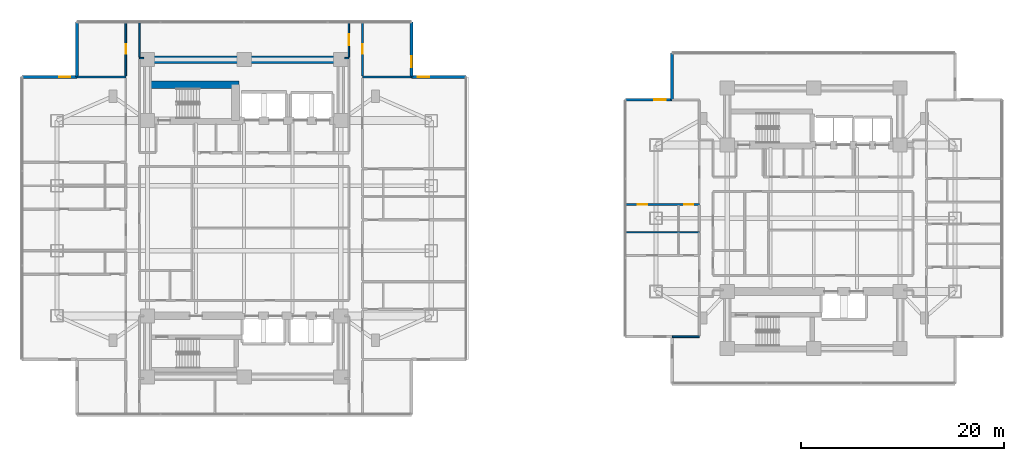
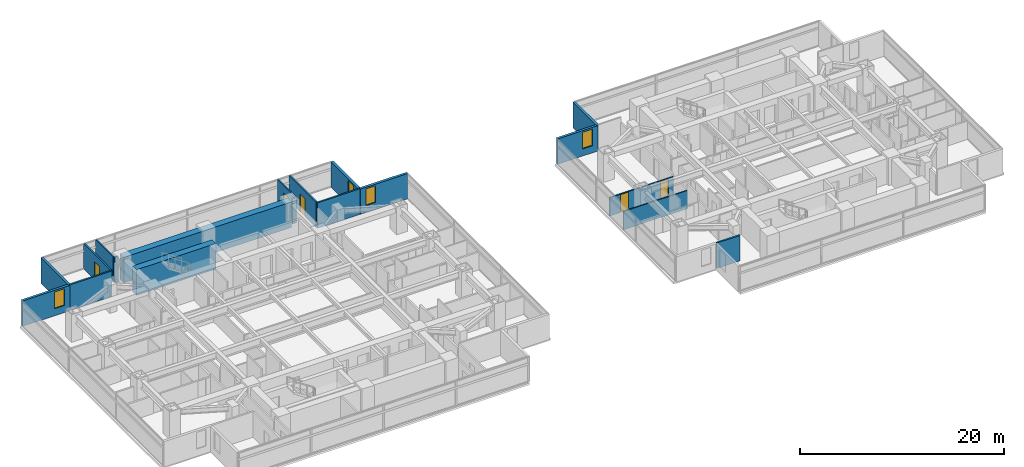
# One storey, part 16 of 25: 19 walls, 5 doors, 4 windows, 9 openings.
"""IFC4 building model written with IfcOpenShell, lengths in metres."""

from ifc_helpers import new_model, si_unit, direction, frame, frame_2d, origin, place, context, subcontext, project, spatial, rectangle, extrude, material, layer, layer_set, type_object, element, fill, save


model = new_model("IFC4")

# Units and contexts
model_context = context("Model", 3, precision=1e-05, world=origin(), true_north=direction((0.0, 1.0)))
body_context = subcontext(model_context, "Body", "Model", "MODEL_VIEW")
ifc_project = project(units=[si_unit("LENGTHUNIT", "METRE"), si_unit("AREAUNIT", "SQUARE_METRE"), si_unit("VOLUMEUNIT", "CUBIC_METRE"), si_unit("PLANEANGLEUNIT", "RADIAN"), si_unit("MASSUNIT", "GRAM", prefix="KILO")], contexts=[model_context])

# Site, building, storey
site_placement = place(None, origin())
site = spatial("IfcSite", under=ifc_project, at=site_placement, CompositionType="ELEMENT")
building_placement = place(site_placement, origin())
building = spatial("IfcBuilding", under=site, at=building_placement, Name="Mirazonda Arch Towers", CompositionType="ELEMENT")
storey_placement = place(building_placement, frame((0.0, 0.0, 32.300048828125)))
storey = spatial("IfcBuildingStorey", under=building, at=storey_placement, Name="L08", CompositionType="ELEMENT", Elevation=32.300048828125)

# Walls
ifc_material_1 = material(Name="Concrete C60/75", Category="concrete")
ifc_layer_1 = layer(ifc_material_1, 0.75, Name="WALL-CORE-750")
ifc_layer_set_1 = layer_set([ifc_layer_1], Name="Concrete C60/75")
wall_type_1 = type_object("IfcWallType", Name="WALL-CORE-750", PredefinedType="SHEAR", material=ifc_layer_set_1)
wall_1_placement = place(storey_placement, frame((11.0, 43.60009765625, 0.0), z_axis=(0.0, 0.0, 1.0), x_axis=(1.0, 0.0, 0.0)))
element("IfcWall", 1, at=wall_1_placement, inside=storey, type_object=wall_type_1, Name="L08 T1N-N Core Shear Wall", PredefinedType="SHEAR", context=body_context, shape_type="SweptSolid", body=[
    extrude(rectangle(XDim=19.0, YDim=0.75, at=frame_2d((9.5, 0.0))), origin(), (0.0, 0.0, 1.0), 3.06005859375),
])
wall_2_placement = place(storey_placement, frame((11.0, 41.14306640625, 0.0), z_axis=(0.0, 0.0, 1.0), x_axis=(1.0, 0.0, 0.0)))
element("IfcWall", 2, at=wall_2_placement, inside=storey, type_object=wall_type_1, Name="L08 T1N-STN Core Shear Wall", PredefinedType="SHEAR", context=body_context, shape_type="SweptSolid", body=[
    extrude(rectangle(XDim=9.0, YDim=0.75, at=frame_2d((4.5, 0.0))), origin(), (0.0, 0.0, 1.0), 3.06005859375),
])

# Wall, opening, window
ifc_material_2 = material(Name="Precast Concrete C40/50", Category="concrete")
ifc_layer_2 = layer(ifc_material_2, 0.280029296875, Name="WALL-EXT-WALL-280")
ifc_layer_set_2 = layer_set([ifc_layer_2], Name="Precast Concrete C40/50")
wall_type_2 = type_object("IfcWallType", Name="WALL-EXT-WALL-280", PredefinedType="SOLIDWALL", material=ifc_layer_set_2)
wall_3_placement = place(storey_placement, frame((36.93994140625, 41.89404296875, 0.0), z_axis=(0.0, 0.0, 1.0), x_axis=(0.0, 1.0, 0.0)))
wall_3 = element("IfcWall", 3, at=wall_3_placement, inside=storey, type_object=wall_type_2, Name="L08 T1 Notched NE Corner Wall WL-L08-T1-CNE", PredefinedType="SOLIDWALL", context=body_context, shape_type="SweptSolid", body=[
    extrude(rectangle(XDim=5.3798828125, YDim=0.280029296875, at=frame_2d((2.68994140625, 0.0))), origin(), (0.0, 0.0, 1.0), 3.0400390625),
])
opening_1_placement = place(wall_3_placement, frame((0.949951171875, 0.0, 0.85009765625)))
opening_1 = element("IfcOpeningElement", 4, at=opening_1_placement, cuts=wall_3, Name="Opening WN-108", PredefinedType="OPENING", context=body_context, shape_type="SweptSolid", body=[
    extrude(rectangle(XDim=1.10009765625, YDim=2.0, at=frame_2d((0.550048828125, 1.0))), frame((0.0, 0.14990234375, 0.0), z_axis=(0.0, -1.0, 0.0), x_axis=(1.0, 0.0, 0.0)), (0.0, 0.0, 1.0), 0.300048828125),
])
ifc_material_3 = material(Name="Insulated Low-E Solar Glass", Category="glass")
window_type = type_object("IfcWindowType", Name="WIN-NOTCH-1100x2000", PartitioningType="SINGLE_PANEL", PredefinedType="WINDOW", material=ifc_material_3)
window_1_placement = place(opening_1_placement, origin())
window_1 = element("IfcWindow", 5, at=window_1_placement, inside=storey, type_object=window_type, Name="L08 Punched Facade Window WN-L08-T1-CNE", OverallHeight=2.0, OverallWidth=1.10009765625, PartitioningType="SINGLE_PANEL", PredefinedType="WINDOW", context=body_context, shape_type="SweptSolid", body=[
    extrude(rectangle(XDim=1.10009765625, YDim=2.0, at=frame_2d((0.550048828125, 1.0))), frame((0.0, 0.030029296875, 0.0), z_axis=(0.0, -1.0, 0.0), x_axis=(1.0, 0.0, 0.0)), (0.0, 0.0, 1.0), 0.06005859375),
])
fill(opening_1, window_1)

wall_4_placement = place(storey_placement, frame((4.06005859375, 41.89404296875, 0.0), z_axis=(0.0, 0.0, 1.0), x_axis=(-1.0, 0.0, 0.0)))
wall_4 = element("IfcWall", 6, at=wall_4_placement, inside=storey, type_object=wall_type_2, Name="L08 T1 Corner Notch Return Wall WL-L08-T1-CNW1", PredefinedType="SOLIDWALL", context=body_context, shape_type="SweptSolid", body=[
    extrude(rectangle(XDim=5.380126953125, YDim=0.280029296875, at=frame_2d((2.68994140625, 0.0))), origin(), (0.0, 0.0, 1.0), 3.0400390625),
])
opening_2_placement = place(wall_4_placement, frame((0.64990234375, 0.0, 0.85009765625)))
opening_2 = element("IfcOpeningElement", 7, at=opening_2_placement, cuts=wall_4, Name="Opening WN-108", PredefinedType="OPENING", context=body_context, shape_type="SweptSolid", body=[
    extrude(rectangle(XDim=1.10009765625, YDim=2.0, at=frame_2d((0.550048828125, 1.0))), frame((0.0, 0.14990234375, 0.0), z_axis=(0.0, -1.0, 0.0), x_axis=(1.0, 0.0, 0.0)), (0.0, 0.0, 1.0), 0.300048828125),
])
window_2_placement = place(opening_2_placement, origin())
window_2 = element("IfcWindow", 8, at=window_2_placement, inside=storey, type_object=window_type, Name="L08 Punched Facade Window WN-L08-T1-CNW1", OverallHeight=2.0, OverallWidth=1.10009765625, PartitioningType="SINGLE_PANEL", PredefinedType="WINDOW", context=body_context, shape_type="SweptSolid", body=[
    extrude(rectangle(XDim=1.10009765625, YDim=2.0, at=frame_2d((0.550048828125, 1.0))), frame((0.0, 0.030029296875, 0.0), z_axis=(0.0, -1.0, 0.0), x_axis=(1.0, 0.0, 0.0)), (0.0, 0.0, 1.0), 0.06005859375),
])
fill(opening_2, window_2)

# Wall
wall_5_placement = place(storey_placement, frame((4.06005859375, 47.27392578125, 0.0), z_axis=(0.0, 0.0, 1.0), x_axis=(0.0, -1.0, 0.0)))
element("IfcWall", 9, at=wall_5_placement, inside=storey, type_object=wall_type_2, Name="L08 T1 Corner Notch Return Wall WL-L08-T1-CNW2", PredefinedType="SOLIDWALL", context=body_context, shape_type="SweptSolid", body=[
    extrude(rectangle(XDim=5.3798828125, YDim=0.280029296875, at=frame_2d((2.68994140625, 0.0))), origin(), (0.0, 0.0, 1.0), 3.0400390625),
])

# Wall, opening, window
wall_6_placement = place(storey_placement, frame((42.320068359375, 41.89404296875, 0.0), z_axis=(0.0, 0.0, 1.0), x_axis=(-1.0, 0.0, 0.0)))
wall_6 = element("IfcWall", 10, at=wall_6_placement, inside=storey, type_object=wall_type_2, Name="L08 T1 Corner Notch Return Wall WL-L08-T1-CNE2", PredefinedType="SOLIDWALL", context=body_context, shape_type="SweptSolid", body=[
    extrude(rectangle(XDim=5.380126953125, YDim=0.280029296875, at=frame_2d((2.68994140625, 0.0))), origin(), (0.0, 0.0, 1.0), 3.0400390625),
])
opening_3_placement = place(wall_6_placement, frame((3.6298828125, 0.0, 0.85009765625)))
opening_3 = element("IfcOpeningElement", 11, at=opening_3_placement, cuts=wall_6, Name="Opening WN-108", PredefinedType="OPENING", context=body_context, shape_type="SweptSolid", body=[
    extrude(rectangle(XDim=1.10009765625, YDim=2.0, at=frame_2d((0.550048828125, 1.0))), frame((0.0, 0.14990234375, 0.0), z_axis=(0.0, -1.0, 0.0), x_axis=(1.0, 0.0, 0.0)), (0.0, 0.0, 1.0), 0.300048828125),
])
window_3_placement = place(opening_3_placement, origin())
window_3 = element("IfcWindow", 12, at=window_3_placement, inside=storey, type_object=window_type, Name="L08 Punched Facade Window WN-L08-T1-CNE2", OverallHeight=2.0, OverallWidth=1.10009765625, PartitioningType="SINGLE_PANEL", PredefinedType="WINDOW", context=body_context, shape_type="SweptSolid", body=[
    extrude(rectangle(XDim=1.10009765625, YDim=2.0, at=frame_2d((0.550048828125, 1.0))), frame((0.0, 0.030029296875, 0.0), z_axis=(0.0, -1.0, 0.0), x_axis=(1.0, 0.0, 0.0)), (0.0, 0.0, 1.0), 0.06005859375),
])
fill(opening_3, window_3)

wall_7_placement = place(storey_placement, frame((62.5859375, 39.64990234375, 0.0), z_axis=(0.0, 0.0, 1.0), x_axis=(-1.0, 0.0, 0.0)))
wall_7 = element("IfcWall", 13, at=wall_7_placement, inside=storey, type_object=wall_type_2, Name="L08 T2 Corner Notch Return Wall WL-L08-T2-CNW1", PredefinedType="SOLIDWALL", context=body_context, shape_type="SweptSolid", body=[
    extrude(rectangle(XDim=4.579833984375, YDim=0.280029296875, at=frame_2d((2.2900390625, 0.0))), origin(), (0.0, 0.0, 1.0), 3.0400390625),
])
opening_4_placement = place(wall_7_placement, frame((0.64990234375, 0.0, 0.85009765625)))
opening_4 = element("IfcOpeningElement", 14, at=opening_4_placement, cuts=wall_7, Name="Opening WN-108", PredefinedType="OPENING", context=body_context, shape_type="SweptSolid", body=[
    extrude(rectangle(XDim=1.10009765625, YDim=2.0, at=frame_2d((0.550048828125, 1.0))), frame((0.0, 0.14990234375, 0.0), z_axis=(0.0, -1.0, 0.0), x_axis=(1.0, 0.0, 0.0)), (0.0, 0.0, 1.0), 0.300048828125),
])
window_4_placement = place(opening_4_placement, origin())
window_4 = element("IfcWindow", 15, at=window_4_placement, inside=storey, type_object=window_type, Name="L08 Punched Facade Window WN-L08-T2-CNW1", OverallHeight=2.0, OverallWidth=1.10009765625, PartitioningType="SINGLE_PANEL", PredefinedType="WINDOW", context=body_context, shape_type="SweptSolid", body=[
    extrude(rectangle(XDim=1.10009765625, YDim=2.0, at=frame_2d((0.550048828125, 1.0))), frame((0.0, 0.030029296875, 0.0), z_axis=(0.0, -1.0, 0.0), x_axis=(1.0, 0.0, 0.0)), (0.0, 0.0, 1.0), 0.06005859375),
])
fill(opening_4, window_4)

# Wall
wall_8_placement = place(storey_placement, frame((62.5859375, 44.22998046875, 0.0), z_axis=(0.0, 0.0, 1.0), x_axis=(0.0, -1.0, 0.0)))
element("IfcWall", 16, at=wall_8_placement, inside=storey, type_object=wall_type_2, Name="L08 T2 Corner Notch Return Wall WL-L08-T2-CNW2", PredefinedType="SOLIDWALL", context=body_context, shape_type="SweptSolid", body=[
    extrude(rectangle(XDim=4.580078125, YDim=0.280029296875, at=frame_2d((2.2900390625, 0.0))), origin(), (0.0, 0.0, 1.0), 3.0400390625),
])

# Wall, openings, doors
ifc_material_4 = material(Name="Fire-Rated Gypsum Stud Partition")
ifc_layer_3 = layer(ifc_material_4, 0.14990234375, Name="WALL-PART-CORR-150")
ifc_layer_set_3 = layer_set([ifc_layer_3], Name="Fire-Rated Gypsum Stud Partition")
wall_type_3 = type_object("IfcWallType", Name="WALL-PART-CORR-150", PredefinedType="PARTITIONING", material=ifc_layer_set_3)
wall_9_placement = place(storey_placement, frame((58.006103515625, 29.35205078125, 0.0), z_axis=(0.0, 0.0, 1.0), x_axis=(1.0, 0.0, 0.0)))
wall_9 = element("IfcWall", 17, at=wall_9_placement, inside=storey, type_object=wall_type_3, Name="L08 Interior Partition 036", PredefinedType="PARTITIONING", context=body_context, shape_type="SweptSolid", body=[
    extrude(rectangle(XDim=7.243896484375, YDim=0.14990234375, at=frame_2d((3.6220703125, 0.0))), origin(), (0.0, 0.0, 1.0), 2.196044921875),
])
opening_5_placement = place(wall_9_placement, frame((1.197021484375, 0.0, 0.0)))
opening_5 = element("IfcOpeningElement", 18, at=opening_5_placement, cuts=wall_9, Name="Opening DR-104", PredefinedType="OPENING", context=body_context, shape_type="SweptSolid", body=[
    extrude(rectangle(XDim=0.949951171875, YDim=2.14990234375, at=frame_2d((0.47509765625, 1.074951171875))), frame((0.0, 0.0849609375, 0.0), z_axis=(0.0, -1.0, 0.0), x_axis=(1.0, 0.0, 0.0)), (0.0, 0.0, 1.0), 0.169921875),
])
opening_6_placement = place(wall_9_placement, frame((5.75390625, 0.0, 0.0)))
opening_6 = element("IfcOpeningElement", 19, at=opening_6_placement, cuts=wall_9, Name="Opening DR-120", PredefinedType="OPENING", context=body_context, shape_type="SweptSolid", body=[
    extrude(rectangle(XDim=0.89990234375, YDim=2.10009765625, at=frame_2d((0.449951171875, 1.050048828125))), frame((0.0, 0.0849609375, 0.0), z_axis=(0.0, -1.0, 0.0), x_axis=(1.0, 0.0, 0.0)), (0.0, 0.0, 1.0), 0.169921875),
])
ifc_material_5 = material(Name="Architectural Brushed Steel S355", Category="steel")
door_type_1 = type_object("IfcDoorType", Name="DOOR-ROOM-950", OperationType="NOTDEFINED", PredefinedType="DOOR", material=ifc_material_5)
door_1_placement = place(opening_5_placement, origin())
door_1 = element("IfcDoor", 20, at=door_1_placement, inside=storey, type_object=door_type_1, Name="L08 Suite Bedroom 2 Door", OperationType="SINGLE_SWING_LEFT", OverallHeight=2.14990234375, OverallWidth=0.949951171875, PredefinedType="DOOR", context=body_context, shape_type="SweptSolid", body=[
    extrude(rectangle(XDim=0.949951171875, YDim=2.14990234375, at=frame_2d((0.47509765625, 1.074951171875))), frame((0.0, 0.02490234375, 0.0), z_axis=(0.0, -1.0, 0.0), x_axis=(1.0, 0.0, 0.0)), (0.0, 0.0, 1.0), 0.050048828125),
])
fill(opening_5, door_1)
door_type_2 = type_object("IfcDoorType", Name="DOOR-WC-900", OperationType="NOTDEFINED", PredefinedType="DOOR", material=ifc_material_5)
door_2_placement = place(opening_6_placement, origin())
door_2 = element("IfcDoor", 21, at=door_2_placement, inside=storey, type_object=door_type_2, Name="L08 Suite En-Suite Bathroom 2 Door", OperationType="SINGLE_SWING_RIGHT", OverallHeight=2.10009765625, OverallWidth=0.89990234375, PredefinedType="DOOR", context=body_context, shape_type="SweptSolid", body=[
    extrude(rectangle(XDim=0.89990234375, YDim=2.10009765625, at=frame_2d((0.449951171875, 1.050048828125))), frame((0.0, 0.02490234375, 0.0), z_axis=(0.0, -1.0, 0.0), x_axis=(1.0, 0.0, 0.0)), (0.0, 0.0, 1.0), 0.050048828125),
])
fill(opening_6, door_2)

# Walls
for number, where, z_axis, x_axis, name in (
    (22, (10.199951171875, 43.75, 0.0), (0.0, 0.0, 1.0), (1.0, 0.0, 0.0), "L08 Interior Partition 061"),
    (23, (30.3701171875, 43.75, 0.0), (0.0, 0.0, 1.0), (1.0, 0.0, 0.0), "L08 Interior Partition 062"),
):
    element("IfcWall", number, at=place(storey_placement, frame(where, z_axis=z_axis, x_axis=x_axis)), inside=storey, type_object=wall_type_3, Name=name, PredefinedType="PARTITIONING", context=body_context, shape_type="SweptSolid", body=[
        extrude(rectangle(XDim=0.429931640625, YDim=0.14990234375, at=frame_2d((0.21484375, 0.0))), origin(), (0.0, 0.0, 1.0), 3.06005859375),
    ])
wall_10_placement = place(storey_placement, frame((10.199951171875, 43.8349609375, 0.0), z_axis=(0.0, 0.0, 1.0), x_axis=(0.0, 1.0, 0.0)))
element("IfcWall", 24, at=wall_10_placement, inside=storey, type_object=wall_type_3, Name="L08 Interior Partition 079", PredefinedType="PARTITIONING", context=body_context, shape_type="SweptSolid", body=[
    extrude(rectangle(XDim=3.43896484375, YDim=0.14990234375, at=frame_2d((1.719482421875, 0.0))), origin(), (0.0, 0.0, 1.0), 3.06005859375),
])

# Wall, opening, door
wall_11_placement = place(storey_placement, frame((30.800048828125, 43.8349609375, 0.0), z_axis=(0.0, 0.0, 1.0), x_axis=(0.0, 1.0, 0.0)))
wall_11 = element("IfcWall", 25, at=wall_11_placement, inside=storey, type_object=wall_type_3, Name="L08 Interior Partition 105", PredefinedType="PARTITIONING", context=body_context, shape_type="SweptSolid", body=[
    extrude(rectangle(XDim=3.43896484375, YDim=0.14990234375, at=frame_2d((1.719482421875, 0.0))), origin(), (0.0, 0.0, 1.0), 3.06005859375),
])
opening_7_placement = place(wall_11_placement, frame((1.194580078125, 0.0, 0.0)))
opening_7 = element("IfcOpeningElement", 26, at=opening_7_placement, cuts=wall_11, Name="Opening DR-121", PredefinedType="OPENING", context=body_context, shape_type="SweptSolid", body=[
    extrude(rectangle(XDim=1.050048828125, YDim=2.199951171875, at=frame_2d((0.52490234375, 1.10009765625))), frame((0.0, 0.0849609375, 0.0), z_axis=(0.0, -1.0, 0.0), x_axis=(1.0, 0.0, 0.0)), (0.0, 0.0, 1.0), 0.169921875),
])
door_type_3 = type_object("IfcDoorType", Name="DOOR-SUITE-FD60-1050", OperationType="NOTDEFINED", PredefinedType="DOOR", material=ifc_material_5)
door_3_placement = place(opening_7_placement, origin())
door_3 = element("IfcDoor", 27, at=door_3_placement, inside=storey, type_object=door_type_3, Name="L08 North Reading Salon Suite Door", OperationType="SINGLE_SWING_LEFT", OverallHeight=2.199951171875, OverallWidth=1.050048828125, PredefinedType="DOOR", context=body_context, shape_type="SweptSolid", body=[
    extrude(rectangle(XDim=1.050048828125, YDim=2.199951171875, at=frame_2d((0.52490234375, 1.10009765625))), frame((0.0, 0.02490234375, 0.0), z_axis=(0.0, -1.0, 0.0), x_axis=(1.0, 0.0, 0.0)), (0.0, 0.0, 1.0), 0.050048828125),
])
fill(opening_7, door_3)

# Walls
ifc_material_6 = material(Name="Fire-Rated Gypsum Twin-Stud Assembly")
ifc_layer_4 = layer(ifc_material_6, 0.179931640625, Name="WALL-PART-DEMISE-180")
ifc_layer_set_4 = layer_set([ifc_layer_4], Name="Fire-Rated Gypsum Twin-Stud Assembly")
wall_type_4 = type_object("IfcWallType", Name="WALL-PART-DEMISE-180", PredefinedType="PARTITIONING", material=ifc_layer_set_4)
wall_12_placement = place(storey_placement, frame((62.60595703125, 16.35009765625, 0.0), z_axis=(0.0, 0.0, 1.0), x_axis=(1.0, 0.0, 0.0)))
element("IfcWall", 28, at=wall_12_placement, inside=storey, type_object=wall_type_4, Name="L08 Interior Partition 009", PredefinedType="PARTITIONING", context=body_context, shape_type="SweptSolid", body=[
    extrude(rectangle(XDim=2.64404296875, YDim=0.179931640625, at=frame_2d((1.322021484375, 0.0))), origin(), (0.0, 0.0, 1.0), 3.06005859375),
])
for number, where, z_axis, x_axis, name in (
    (29, (4.080078125, 41.89404296875, 0.0), (0.0, 0.0, 1.0), (1.0, 0.0, 0.0), "L08 Interior Partition 059"),
    (30, (32.139892578125, 41.89404296875, 0.0), (0.0, 0.0, 1.0), (1.0, 0.0, 0.0), "L08 Interior Partition 060"),
):
    element("IfcWall", number, at=place(storey_placement, frame(where, z_axis=z_axis, x_axis=x_axis)), inside=storey, type_object=wall_type_4, Name=name, PredefinedType="PARTITIONING", context=body_context, shape_type="SweptSolid", body=[
        extrude(rectangle(XDim=4.780029296875, YDim=0.179931640625, at=frame_2d((2.39013671875, 0.0))), origin(), (0.0, 0.0, 1.0), 3.06005859375),
    ])

# Wall, opening, door
wall_13_placement = place(storey_placement, frame((8.860107421875, 41.993896484375, 0.0), z_axis=(0.0, 0.0, 1.0), x_axis=(0.0, 1.0, 0.0)))
wall_13 = element("IfcWall", 31, at=wall_13_placement, inside=storey, type_object=wall_type_4, Name="L08 Interior Partition 073", PredefinedType="PARTITIONING", context=body_context, shape_type="SweptSolid", body=[
    extrude(rectangle(XDim=5.280029296875, YDim=0.179931640625, at=frame_2d((2.64013671875, 0.0))), origin(), (0.0, 0.0, 1.0), 3.06005859375),
])
opening_8_placement = place(wall_13_placement, frame((2.1650390625, 0.0, 0.0)))
opening_8 = element("IfcOpeningElement", 32, at=opening_8_placement, cuts=wall_13, Name="Opening DR-104", PredefinedType="OPENING", context=body_context, shape_type="SweptSolid", body=[
    extrude(rectangle(XDim=0.949951171875, YDim=2.14990234375, at=frame_2d((0.47509765625, 1.074951171875))), frame((0.0, 0.099853515625, 0.0), z_axis=(0.0, -1.0, 0.0), x_axis=(1.0, 0.0, 0.0)), (0.0, 0.0, 1.0), 0.199951171875),
])
door_4_placement = place(opening_8_placement, origin())
door_4 = element("IfcDoor", 33, at=door_4_placement, inside=storey, type_object=door_type_1, Name="L08 North Reading Salon Alcove West Door", OperationType="SINGLE_SWING_RIGHT", OverallHeight=2.14990234375, OverallWidth=0.949951171875, PredefinedType="DOOR", context=body_context, shape_type="SweptSolid", body=[
    extrude(rectangle(XDim=0.949951171875, YDim=2.14990234375, at=frame_2d((0.47509765625, 1.074951171875))), frame((0.0, 0.02490234375, 0.0), z_axis=(0.0, -1.0, 0.0), x_axis=(1.0, 0.0, 0.0)), (0.0, 0.0, 1.0), 0.050048828125),
])
fill(opening_8, door_4)

wall_14_placement = place(storey_placement, frame((32.139892578125, 41.993896484375, 0.0), z_axis=(0.0, 0.0, 1.0), x_axis=(0.0, 1.0, 0.0)))
wall_14 = element("IfcWall", 34, at=wall_14_placement, inside=storey, type_object=wall_type_4, Name="L08 Interior Partition 113", PredefinedType="PARTITIONING", context=body_context, shape_type="SweptSolid", body=[
    extrude(rectangle(XDim=5.280029296875, YDim=0.179931640625, at=frame_2d((2.64013671875, 0.0))), origin(), (0.0, 0.0, 1.0), 3.06005859375),
])
opening_9_placement = place(wall_14_placement, frame((2.1650390625, 0.0, 0.0)))
opening_9 = element("IfcOpeningElement", 35, at=opening_9_placement, cuts=wall_14, Name="Opening DR-104", PredefinedType="OPENING", context=body_context, shape_type="SweptSolid", body=[
    extrude(rectangle(XDim=0.949951171875, YDim=2.14990234375, at=frame_2d((0.47509765625, 1.074951171875))), frame((0.0, 0.099853515625, 0.0), z_axis=(0.0, -1.0, 0.0), x_axis=(1.0, 0.0, 0.0)), (0.0, 0.0, 1.0), 0.199951171875),
])
door_5_placement = place(opening_9_placement, origin())
door_5 = element("IfcDoor", 36, at=door_5_placement, inside=storey, type_object=door_type_1, Name="L08 North Reading Salon Alcove East Door", OperationType="SINGLE_SWING_LEFT", OverallHeight=2.14990234375, OverallWidth=0.949951171875, PredefinedType="DOOR", context=body_context, shape_type="SweptSolid", body=[
    extrude(rectangle(XDim=0.949951171875, YDim=2.14990234375, at=frame_2d((0.47509765625, 1.074951171875))), frame((0.0, 0.02490234375, 0.0), z_axis=(0.0, -1.0, 0.0), x_axis=(1.0, 0.0, 0.0)), (0.0, 0.0, 1.0), 0.050048828125),
])
fill(opening_9, door_5)

# Wall
ifc_material_7 = material(Name="Acoustic Fire-Rated Gypsum Partition")
ifc_layer_5 = layer(ifc_material_7, 0.125, Name="WALL-PART-UNIT-125")
ifc_layer_set_5 = layer_set([ifc_layer_5], Name="Acoustic Fire-Rated Gypsum Partition")
wall_type_5 = type_object("IfcWallType", Name="WALL-PART-UNIT-125", PredefinedType="PARTITIONING", material=ifc_layer_set_5)
wall_15_placement = place(storey_placement, frame((58.006103515625, 26.632080078125, 0.0), z_axis=(0.0, 0.0, 1.0), x_axis=(1.0, 0.0, 0.0)))
element("IfcWall", 37, at=wall_15_placement, inside=storey, type_object=wall_type_5, Name="L08 Interior Partition 030", PredefinedType="PARTITIONING", context=body_context, shape_type="SweptSolid", body=[
    extrude(rectangle(XDim=7.243896484375, YDim=0.125, at=frame_2d((3.6220703125, 0.0))), origin(), (0.0, 0.0, 1.0), 2.196044921875),
])

save(model, "model.ifc")
